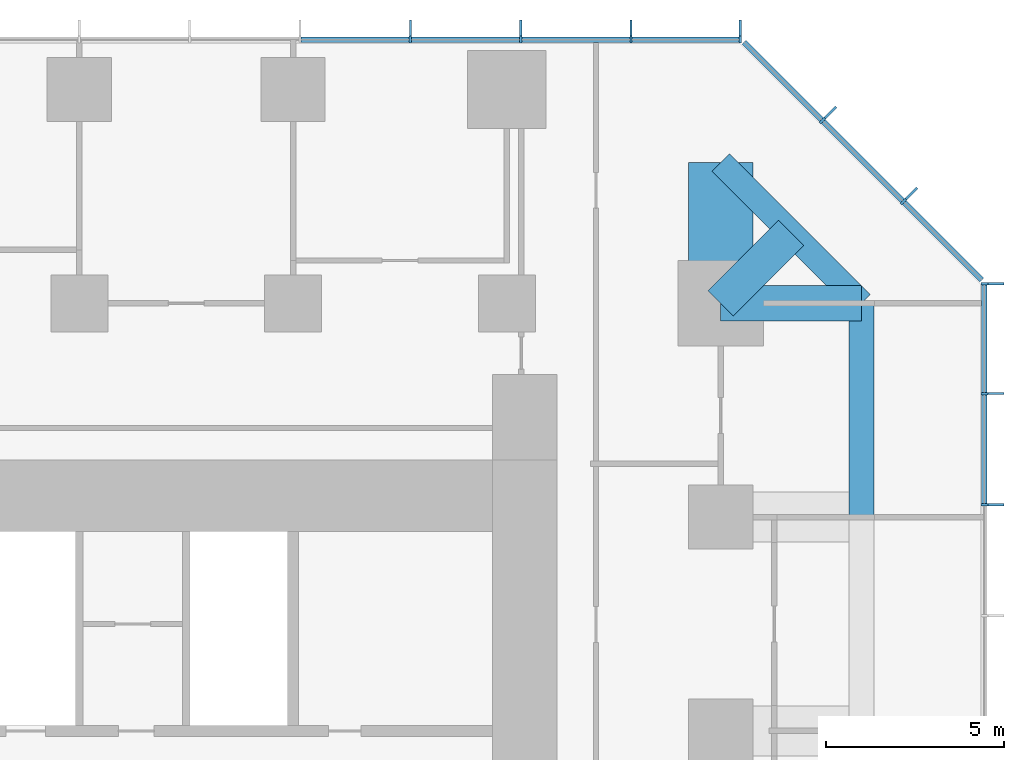
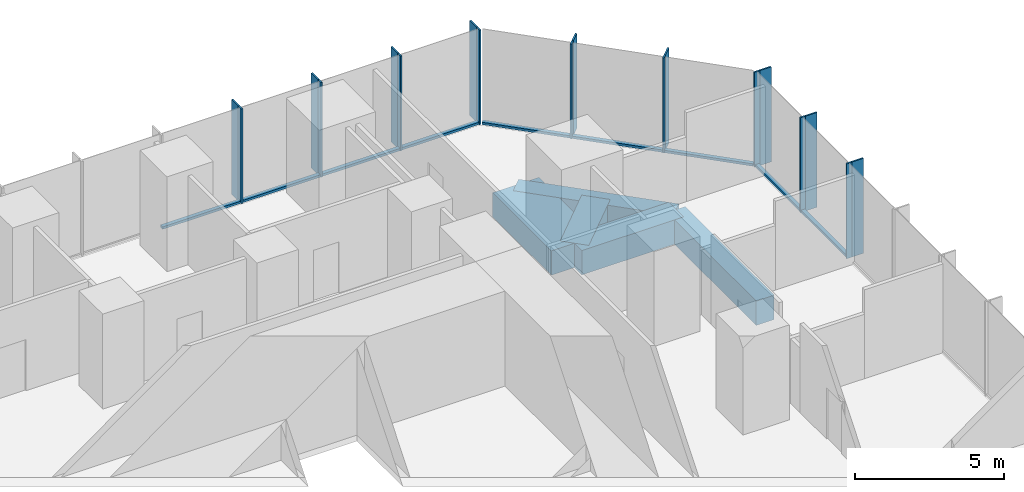
# One storey, part 6 of 12: 27 members, 5 beams, 3 elements without a shape of their own.
"""IFC4 building model written with IfcOpenShell, lengths in metres."""

from ifc_helpers import new_model, si_unit, direction, frame, origin, origin_2d, place, context, subcontext, project, spatial, rectangle, extrude, material, layer, layer_set, material_profile, profile_set, type_object, element, aggregate, save


model = new_model("IFC4")

# Units and contexts
model_context = context("Model", 3, precision=1e-05, world=origin(), true_north=direction((0.0, 1.0)))
body_context = subcontext(model_context, "Body", "Model", "MODEL_VIEW")
ifc_project = project(units=[si_unit("LENGTHUNIT", "METRE"), si_unit("AREAUNIT", "SQUARE_METRE"), si_unit("VOLUMEUNIT", "CUBIC_METRE"), si_unit("PLANEANGLEUNIT", "RADIAN"), si_unit("MASSUNIT", "GRAM", prefix="KILO")], contexts=[model_context])

# Site, building, storey
site_placement = place(None, origin())
site = spatial("IfcSite", under=ifc_project, at=site_placement, CompositionType="ELEMENT")
building_placement = place(site_placement, origin())
building = spatial("IfcBuilding", under=site, at=building_placement, Name="Highveld Stack Headquarters", CompositionType="ELEMENT")
storey_placement = place(building_placement, frame((0.0, 0.0, 156.199951171875)))
storey = spatial("IfcBuildingStorey", under=building, at=storey_placement, Name="L38", CompositionType="ELEMENT", Elevation=156.199951171875)

# Beams
ifc_material_1 = material(Name="Concrete C60/75", Category="concrete")
ifc_material_profile_1 = material_profile(ifc_material_1, rectangle(XDim=1.0, YDim=1.0, at=origin_2d()), Name="RC 1000x1000")
ifc_profile_set_1 = profile_set([ifc_material_profile_1], Name="Concrete C60/75")
beam_type_1 = type_object("IfcBeamType", Name="CANTILEVER RIB RC 1000x1000", PredefinedType="USERDEFINED", material=ifc_profile_set_1)
beam_1_placement = place(storey_placement, frame((24.0, 18.0, -0.75), z_axis=(1.0, 0.0, 0.0), x_axis=(0.0, 1.0, 0.0)))
element("IfcBeam", 1, at=beam_1_placement, inside=storey, type_object=beam_type_1, Name="Cantilever rib 10/H L38", ObjectType="CANTILEVER RIB", PredefinedType="USERDEFINED", context=body_context, shape_type="SweptSolid", body=[
    extrude(rectangle(XDim=1.0, YDim=1.0, at=origin_2d()), origin(), (0.0, 0.0, 1.0), 3.949951171875),
])
beam_2_placement = place(storey_placement, frame((24.0, 18.0, -0.75), z_axis=(0.707106781187, 0.707106781187, 0.0), x_axis=(-0.707106781187, 0.707106781187, 0.0)))
element("IfcBeam", 2, at=beam_2_placement, inside=storey, type_object=beam_type_1, Name="Cantilever rib 10/H L38", ObjectType="CANTILEVER RIB", PredefinedType="USERDEFINED", context=body_context, shape_type="SweptSolid", body=[
    extrude(rectangle(XDim=1.0, YDim=1.0, at=origin_2d()), origin(), (0.0, 0.0, 1.0), 2.793212890625),
])
ifc_material_2 = material(Name="Concrete C60/75", Category="concrete")
ifc_material_profile_2 = material_profile(ifc_material_2, rectangle(XDim=1.800048828125, YDim=1.0, at=origin_2d()), Name="RC 1800x1000")
ifc_profile_set_2 = profile_set([ifc_material_profile_2], Name="Concrete C60/75")
beam_type_2 = type_object("IfcBeamType", Name="CANTILEVER RIB RC 1800x1000", PredefinedType="USERDEFINED", material=ifc_profile_set_2)
beam_3_placement = place(storey_placement, frame((24.0, 18.0, -0.75), z_axis=(0.0, 1.0, 0.0), x_axis=(-1.0, 0.0, 0.0)))
element("IfcBeam", 3, at=beam_3_placement, inside=storey, type_object=beam_type_2, Name="Cantilever rib 10/H L38", ObjectType="CANTILEVER RIB", PredefinedType="USERDEFINED", context=body_context, shape_type="SweptSolid", body=[
    extrude(rectangle(XDim=1.800048828125, YDim=1.0, at=origin_2d()), origin(), (0.0, 0.0, 1.0), 3.949951171875),
])

# Curtain wall, members
ifc_material_3 = material(Name="Aluminium bronze anodised", Category="aluminium")
ifc_layer_1 = layer(ifc_material_3, 0.199951171875)
ifc_layer_set_1 = layer_set([ifc_layer_1], Name="Aluminium bronze anodised")
curtain_wall_type_1 = type_object("IfcCurtainWallType", Name="CW1 TOWER UNITISED CURTAIN WALL", PredefinedType="NOTDEFINED", material=ifc_layer_set_1)
curtain_wall_1_placement = place(storey_placement, origin())
curtain_wall_1 = element("IfcCurtainWall", 4, at=curtain_wall_1_placement, inside=storey, type_object=curtain_wall_type_1, Name="Curtain wall CW1 L38 E", PredefinedType="NOTDEFINED")
ifc_material_4 = material(Name="Aluminium bronze anodised", Category="aluminium")
ifc_material_profile_3 = material_profile(ifc_material_4, rectangle(XDim=0.449951171875, YDim=0.06005859375, at=origin_2d()), Name="FIN 450x60")
ifc_profile_set_3 = profile_set([ifc_material_profile_3], Name="Aluminium bronze anodised")
member_type_1 = type_object("IfcMemberType", Name="CW1 BRONZE FIN 450x60", PredefinedType="USERDEFINED", material=ifc_profile_set_3)
member_1_placement = place(storey_placement, frame((31.72509765625, 12.347900390625, 0.0), z_axis=(0.0, 0.0, 1.0), x_axis=(-1.0, 0.0, 0.0)))
member_1 = element("IfcMember", 5, at=member_1_placement, type_object=member_type_1, Name="CW1 fin L38 9", ObjectType="FIN", PredefinedType="USERDEFINED", context=body_context, shape_type="SweptSolid", body=[
    extrude(rectangle(XDim=0.449951171875, YDim=0.06005859375, at=origin_2d()), origin(), (0.0, 0.0, 1.0), 3.900146484375),
])
member_2_placement = place(storey_placement, frame((31.72509765625, 15.4638671875, 0.0), z_axis=(0.0, 0.0, 1.0), x_axis=(-1.0, 0.0, 0.0)))
member_2 = element("IfcMember", 6, at=member_2_placement, type_object=member_type_1, Name="CW1 fin L38 10", ObjectType="FIN", PredefinedType="USERDEFINED", context=body_context, shape_type="SweptSolid", body=[
    extrude(rectangle(XDim=0.449951171875, YDim=0.06005859375, at=origin_2d()), origin(), (0.0, 0.0, 1.0), 3.900146484375),
])
member_3_placement = place(storey_placement, frame((31.72509765625, 18.54736328125, 0.0), z_axis=(0.0, 0.0, 1.0), x_axis=(-1.0, 0.0, 0.0)))
member_3 = element("IfcMember", 7, at=member_3_placement, type_object=member_type_1, Name="CW1 fin L38 11", ObjectType="FIN", PredefinedType="USERDEFINED", context=body_context, shape_type="SweptSolid", body=[
    extrude(rectangle(XDim=0.449951171875, YDim=0.06005859375, at=origin_2d()), origin(), (0.0, 0.0, 1.0), 3.900146484375),
])

curtain_wall_2_placement = place(storey_placement, origin())
curtain_wall_2 = element("IfcCurtainWall", 8, at=curtain_wall_2_placement, inside=storey, type_object=curtain_wall_type_1, Name="Curtain wall CW1 L38 N", PredefinedType="NOTDEFINED")
member_4_placement = place(storey_placement, frame((24.54736328125, 25.72509765625, 0.0), z_axis=(0.0, 0.0, 1.0), x_axis=(0.0, -1.0, 0.0)))
member_4 = element("IfcMember", 9, at=member_4_placement, type_object=member_type_1, Name="CW1 fin L38 1", ObjectType="FIN", PredefinedType="USERDEFINED", context=body_context, shape_type="SweptSolid", body=[
    extrude(rectangle(XDim=0.449951171875, YDim=0.06005859375, at=origin_2d()), origin(), (0.0, 0.0, 1.0), 3.900146484375),
])
member_5_placement = place(storey_placement, frame((21.483154296875, 25.72509765625, 0.0), z_axis=(0.0, 0.0, 1.0), x_axis=(0.0, -1.0, 0.0)))
member_5 = element("IfcMember", 10, at=member_5_placement, type_object=member_type_1, Name="CW1 fin L38 2", ObjectType="FIN", PredefinedType="USERDEFINED", context=body_context, shape_type="SweptSolid", body=[
    extrude(rectangle(XDim=0.449951171875, YDim=0.06005859375, at=origin_2d()), origin(), (0.0, 0.0, 1.0), 3.900146484375),
])
member_6_placement = place(storey_placement, frame((18.38671875, 25.72509765625, 0.0), z_axis=(0.0, 0.0, 1.0), x_axis=(0.0, -1.0, 0.0)))
member_6 = element("IfcMember", 11, at=member_6_placement, type_object=member_type_1, Name="CW1 fin L38 3", ObjectType="FIN", PredefinedType="USERDEFINED", context=body_context, shape_type="SweptSolid", body=[
    extrude(rectangle(XDim=0.449951171875, YDim=0.06005859375, at=origin_2d()), origin(), (0.0, 0.0, 1.0), 3.900146484375),
])
member_7_placement = place(storey_placement, frame((15.289794921875, 25.72509765625, 0.0), z_axis=(0.0, 0.0, 1.0), x_axis=(0.0, -1.0, 0.0)))
member_7 = element("IfcMember", 12, at=member_7_placement, type_object=member_type_1, Name="CW1 fin L38 4", ObjectType="FIN", PredefinedType="USERDEFINED", context=body_context, shape_type="SweptSolid", body=[
    extrude(rectangle(XDim=0.449951171875, YDim=0.06005859375, at=origin_2d()), origin(), (0.0, 0.0, 1.0), 3.900146484375),
])

# Member
ifc_material_5 = material(Name="Aluminium bronze anodised", Category="aluminium")
ifc_material_profile_4 = material_profile(ifc_material_5, rectangle(XDim=0.199951171875, YDim=0.06494140625, at=origin_2d()), Name="CW1 MULLION 65x200")
ifc_profile_set_4 = profile_set([ifc_material_profile_4], Name="Aluminium bronze anodised")
member_type_2 = type_object("IfcMemberType", Name="CW1 MULLION 65x200", PredefinedType="MULLION", material=ifc_profile_set_4)
member_8_placement = place(storey_placement, frame((31.39990234375, 12.347900390625, 0.0), z_axis=(0.0, 0.0, 1.0), x_axis=(-1.0, 0.0, 0.0)))
member_8 = element("IfcMember", 13, at=member_8_placement, type_object=member_type_2, Name="CW1 mullion L38 9", PredefinedType="MULLION", context=body_context, shape_type="SweptSolid", body=[
    extrude(rectangle(XDim=0.199951171875, YDim=0.06494140625, at=origin_2d()), origin(), (0.0, 0.0, 1.0), 3.900146484375),
])

member_9_placement = place(storey_placement, frame((31.39990234375, 15.4638671875, 0.0), z_axis=(0.0, 0.0, 1.0), x_axis=(-1.0, 0.0, 0.0)))
member_9 = element("IfcMember", 14, at=member_9_placement, type_object=member_type_2, Name="CW1 mullion L38 10", PredefinedType="MULLION", context=body_context, shape_type="SweptSolid", body=[
    extrude(rectangle(XDim=0.199951171875, YDim=0.06494140625, at=origin_2d()), origin(), (0.0, 0.0, 1.0), 3.900146484375),
])

member_10_placement = place(storey_placement, frame((31.39990234375, 18.54736328125, 0.0), z_axis=(0.0, 0.0, 1.0), x_axis=(-1.0, 0.0, 0.0)))
member_10 = element("IfcMember", 15, at=member_10_placement, type_object=member_type_2, Name="CW1 mullion L38 11", PredefinedType="MULLION", context=body_context, shape_type="SweptSolid", body=[
    extrude(rectangle(XDim=0.199951171875, YDim=0.06494140625, at=origin_2d()), origin(), (0.0, 0.0, 1.0), 3.900146484375),
])

member_11_placement = place(storey_placement, frame((24.54736328125, 25.39990234375, 0.0), z_axis=(0.0, 0.0, 1.0), x_axis=(0.0, -1.0, 0.0)))
member_11 = element("IfcMember", 16, at=member_11_placement, type_object=member_type_2, Name="CW1 mullion L38 1", PredefinedType="MULLION", context=body_context, shape_type="SweptSolid", body=[
    extrude(rectangle(XDim=0.199951171875, YDim=0.06494140625, at=origin_2d()), origin(), (0.0, 0.0, 1.0), 3.900146484375),
])

member_12_placement = place(storey_placement, frame((21.483154296875, 25.39990234375, 0.0), z_axis=(0.0, 0.0, 1.0), x_axis=(0.0, -1.0, 0.0)))
member_12 = element("IfcMember", 17, at=member_12_placement, type_object=member_type_2, Name="CW1 mullion L38 2", PredefinedType="MULLION", context=body_context, shape_type="SweptSolid", body=[
    extrude(rectangle(XDim=0.199951171875, YDim=0.06494140625, at=origin_2d()), origin(), (0.0, 0.0, 1.0), 3.900146484375),
])

member_13_placement = place(storey_placement, frame((18.38671875, 25.39990234375, 0.0), z_axis=(0.0, 0.0, 1.0), x_axis=(0.0, -1.0, 0.0)))
member_13 = element("IfcMember", 18, at=member_13_placement, type_object=member_type_2, Name="CW1 mullion L38 3", PredefinedType="MULLION", context=body_context, shape_type="SweptSolid", body=[
    extrude(rectangle(XDim=0.199951171875, YDim=0.06494140625, at=origin_2d()), origin(), (0.0, 0.0, 1.0), 3.900146484375),
])

member_14_placement = place(storey_placement, frame((15.289794921875, 25.39990234375, 0.0), z_axis=(0.0, 0.0, 1.0), x_axis=(0.0, -1.0, 0.0)))
member_14 = element("IfcMember", 19, at=member_14_placement, type_object=member_type_2, Name="CW1 mullion L38 4", PredefinedType="MULLION", context=body_context, shape_type="SweptSolid", body=[
    extrude(rectangle(XDim=0.199951171875, YDim=0.06494140625, at=origin_2d()), origin(), (0.0, 0.0, 1.0), 3.900146484375),
])

ifc_material_6 = material(Name="Aluminium bronze anodised", Category="aluminium")
ifc_material_profile_5 = material_profile(ifc_material_6, rectangle(XDim=0.14990234375, YDim=0.10009765625, at=origin_2d()), Name="CW1 TRANSOM 150x100")
ifc_profile_set_5 = profile_set([ifc_material_profile_5], Name="Aluminium bronze anodised")
member_type_3 = type_object("IfcMemberType", Name="CW1 STACK TRANSOM 150x100", PredefinedType="USERDEFINED", material=ifc_profile_set_5)
member_15_placement = place(storey_placement, frame((31.39990234375, 12.38037109375, 0.050048828125), z_axis=(0.0, 1.0, 0.0), x_axis=(-1.0, 0.0, 0.0)))
member_15 = element("IfcMember", 20, at=member_15_placement, type_object=member_type_3, Name="CW1 transom L38 9.1", ObjectType="TRANSOM", PredefinedType="USERDEFINED", context=body_context, shape_type="SweptSolid", body=[
    extrude(rectangle(XDim=0.14990234375, YDim=0.10009765625, at=origin_2d()), origin(), (0.0, 0.0, 1.0), 3.051025390625),
])

member_16_placement = place(storey_placement, frame((31.39990234375, 15.496337890625, 0.050048828125), z_axis=(0.0, 1.0, 0.0), x_axis=(-1.0, 0.0, 0.0)))
member_16 = element("IfcMember", 21, at=member_16_placement, type_object=member_type_3, Name="CW1 transom L38 10.1", ObjectType="TRANSOM", PredefinedType="USERDEFINED", context=body_context, shape_type="SweptSolid", body=[
    extrude(rectangle(XDim=0.14990234375, YDim=0.10009765625, at=origin_2d()), origin(), (0.0, 0.0, 1.0), 3.0185546875),
])

aggregate(curtain_wall_1, [member_8, member_1, member_9, member_2, member_10, member_3, member_15, member_16])

member_17_placement = place(storey_placement, frame((24.514892578125, 25.39990234375, 0.050048828125), z_axis=(-1.0, 0.0, 0.0), x_axis=(0.0, -1.0, 0.0)))
member_17 = element("IfcMember", 22, at=member_17_placement, type_object=member_type_3, Name="CW1 transom L38 1.1", ObjectType="TRANSOM", PredefinedType="USERDEFINED", context=body_context, shape_type="SweptSolid", body=[
    extrude(rectangle(XDim=0.14990234375, YDim=0.10009765625, at=origin_2d()), origin(), (0.0, 0.0, 1.0), 2.999267578125),
])

member_18_placement = place(storey_placement, frame((21.45068359375, 25.39990234375, 0.050048828125), z_axis=(-1.0, 0.0, 0.0), x_axis=(0.0, -1.0, 0.0)))
member_18 = element("IfcMember", 23, at=member_18_placement, type_object=member_type_3, Name="CW1 transom L38 2.1", ObjectType="TRANSOM", PredefinedType="USERDEFINED", context=body_context, shape_type="SweptSolid", body=[
    extrude(rectangle(XDim=0.14990234375, YDim=0.10009765625, at=origin_2d()), origin(), (0.0, 0.0, 1.0), 3.031494140625),
])

member_19_placement = place(storey_placement, frame((18.35400390625, 25.39990234375, 0.050048828125), z_axis=(-1.0, 0.0, 0.0), x_axis=(0.0, -1.0, 0.0)))
member_19 = element("IfcMember", 24, at=member_19_placement, type_object=member_type_3, Name="CW1 transom L38 3.1", ObjectType="TRANSOM", PredefinedType="USERDEFINED", context=body_context, shape_type="SweptSolid", body=[
    extrude(rectangle(XDim=0.14990234375, YDim=0.10009765625, at=origin_2d()), origin(), (0.0, 0.0, 1.0), 3.031494140625),
])

member_20_placement = place(storey_placement, frame((15.25732421875, 25.39990234375, 0.050048828125), z_axis=(-1.0, 0.0, 0.0), x_axis=(0.0, -1.0, 0.0)))
member_20 = element("IfcMember", 25, at=member_20_placement, type_object=member_type_3, Name="CW1 transom L38 4.1", ObjectType="TRANSOM", PredefinedType="USERDEFINED", context=body_context, shape_type="SweptSolid", body=[
    extrude(rectangle(XDim=0.14990234375, YDim=0.10009765625, at=origin_2d()), origin(), (0.0, 0.0, 1.0), 3.031494140625),
])

aggregate(curtain_wall_2, [member_11, member_4, member_12, member_5, member_13, member_6, member_14, member_7, member_17, member_18, member_19, member_20])

# Curtain wall, members
ifc_material_7 = material(Name="Aluminium bronze anodised", Category="aluminium")
ifc_layer_2 = layer(ifc_material_7, 0.199951171875)
ifc_layer_set_2 = layer_set([ifc_layer_2], Name="Aluminium bronze anodised")
curtain_wall_type_2 = type_object("IfcCurtainWallType", Name="CW2 TOWER CHAMFER UNITISED CURTAIN WALL", PredefinedType="NOTDEFINED", material=ifc_layer_set_2)
curtain_wall_3_placement = place(storey_placement, origin())
curtain_wall_3 = element("IfcCurtainWall", 26, at=curtain_wall_3_placement, inside=storey, type_object=curtain_wall_type_2, Name="Curtain wall CW2 L38 NE", PredefinedType="NOTDEFINED")
ifc_material_8 = material(Name="Aluminium bronze anodised", Category="aluminium")
ifc_material_profile_6 = material_profile(ifc_material_8, rectangle(XDim=0.449951171875, YDim=0.06005859375, at=origin_2d()), Name="FIN 450x60")
ifc_profile_set_6 = profile_set([ifc_material_profile_6], Name="Aluminium bronze anodised")
member_type_4 = type_object("IfcMemberType", Name="CW2 BRONZE FIN 450x60", PredefinedType="USERDEFINED", material=ifc_profile_set_6)
member_21_placement = place(storey_placement, frame((29.3564453125, 21.0830078125, 0.0), z_axis=(0.0, 0.0, 1.0), x_axis=(-0.707106781187, -0.707106781187, 0.0)))
member_21 = element("IfcMember", 27, at=member_21_placement, type_object=member_type_4, Name="CW2 fin L38 1", ObjectType="FIN", PredefinedType="USERDEFINED", context=body_context, shape_type="SweptSolid", body=[
    extrude(rectangle(XDim=0.449951171875, YDim=0.06005859375, at=origin_2d()), origin(), (0.0, 0.0, 1.0), 3.900146484375),
])
member_22_placement = place(storey_placement, frame((27.0830078125, 23.3564453125, 0.0), z_axis=(0.0, 0.0, 1.0), x_axis=(-0.707106781187, -0.707106781187, 0.0)))
member_22 = element("IfcMember", 28, at=member_22_placement, type_object=member_type_4, Name="CW2 fin L38 2", ObjectType="FIN", PredefinedType="USERDEFINED", context=body_context, shape_type="SweptSolid", body=[
    extrude(rectangle(XDim=0.449951171875, YDim=0.06005859375, at=origin_2d()), origin(), (0.0, 0.0, 1.0), 3.900146484375),
])
ifc_material_9 = material(Name="Aluminium bronze anodised", Category="aluminium")
ifc_material_profile_7 = material_profile(ifc_material_9, rectangle(XDim=0.199951171875, YDim=0.06494140625, at=origin_2d()), Name="CW2 MULLION 65x200")
ifc_profile_set_7 = profile_set([ifc_material_profile_7], Name="Aluminium bronze anodised")
member_type_5 = type_object("IfcMemberType", Name="CW2 MULLION 65x200", PredefinedType="MULLION", material=ifc_profile_set_7)
member_23_placement = place(storey_placement, frame((29.126708984375, 20.853271484375, 0.0), z_axis=(0.0, 0.0, 1.0), x_axis=(-0.707106781187, -0.707106781187, 0.0)))
member_23 = element("IfcMember", 29, at=member_23_placement, type_object=member_type_5, Name="CW2 mullion L38 1", PredefinedType="MULLION", context=body_context, shape_type="SweptSolid", body=[
    extrude(rectangle(XDim=0.199951171875, YDim=0.06494140625, at=origin_2d()), origin(), (0.0, 0.0, 1.0), 3.900146484375),
])
member_24_placement = place(storey_placement, frame((26.853271484375, 23.126708984375, 0.0), z_axis=(0.0, 0.0, 1.0), x_axis=(-0.707106781187, -0.707106781187, 0.0)))
member_24 = element("IfcMember", 30, at=member_24_placement, type_object=member_type_5, Name="CW2 mullion L38 2", PredefinedType="MULLION", context=body_context, shape_type="SweptSolid", body=[
    extrude(rectangle(XDim=0.199951171875, YDim=0.06494140625, at=origin_2d()), origin(), (0.0, 0.0, 1.0), 3.900146484375),
])
ifc_material_10 = material(Name="Aluminium bronze anodised", Category="aluminium")
ifc_material_profile_8 = material_profile(ifc_material_10, rectangle(XDim=0.14990234375, YDim=0.10009765625, at=origin_2d()), Name="CW2 TRANSOM 150x100")
ifc_profile_set_8 = profile_set([ifc_material_profile_8], Name="Aluminium bronze anodised")
member_type_6 = type_object("IfcMemberType", Name="CW2 STACK TRANSOM 150x100", PredefinedType="USERDEFINED", material=ifc_profile_set_8)
member_25_placement = place(storey_placement, frame((31.329345703125, 18.650634765625, 0.050048828125), z_axis=(-0.707106781187, 0.707106781187, 0.0), x_axis=(-0.707106781187, -0.707106781187, 0.0)))
member_25 = element("IfcMember", 31, at=member_25_placement, type_object=member_type_6, Name="CW2 transom L38 1.1", ObjectType="TRANSOM", PredefinedType="USERDEFINED", context=body_context, shape_type="SweptSolid", body=[
    extrude(rectangle(XDim=0.14990234375, YDim=0.10009765625, at=origin_2d()), origin(), (0.0, 0.0, 1.0), 3.08251953125),
])
member_26_placement = place(storey_placement, frame((29.103759765625, 20.876220703125, 0.050048828125), z_axis=(-0.707106781187, 0.707106781187, 0.0), x_axis=(-0.707106781187, -0.707106781187, 0.0)))
member_26 = element("IfcMember", 32, at=member_26_placement, type_object=member_type_6, Name="CW2 transom L38 2.1", ObjectType="TRANSOM", PredefinedType="USERDEFINED", context=body_context, shape_type="SweptSolid", body=[
    extrude(rectangle(XDim=0.14990234375, YDim=0.10009765625, at=origin_2d()), origin(), (0.0, 0.0, 1.0), 3.150146484375),
])
member_27_placement = place(storey_placement, frame((26.830322265625, 23.149658203125, 0.050048828125), z_axis=(-0.707106781187, 0.707106781187, 0.0), x_axis=(-0.707106781187, -0.707106781187, 0.0)))
member_27 = element("IfcMember", 33, at=member_27_placement, type_object=member_type_6, Name="CW2 transom L38 3.1", ObjectType="TRANSOM", PredefinedType="USERDEFINED", context=body_context, shape_type="SweptSolid", body=[
    extrude(rectangle(XDim=0.14990234375, YDim=0.10009765625, at=origin_2d()), origin(), (0.0, 0.0, 1.0), 3.08251953125),
])
aggregate(curtain_wall_3, [member_23, member_21, member_24, member_22, member_25, member_26, member_27])

# Beams
ifc_material_11 = material(Name="Concrete C60/75", Category="concrete")
ifc_material_profile_9 = material_profile(ifc_material_11, rectangle(XDim=0.699951171875, YDim=1.0, at=origin_2d()), Name="RC 700x1000")
ifc_profile_set_9 = profile_set([ifc_material_profile_9], Name="Concrete C60/75")
beam_type_3 = type_object("IfcBeamType", Name="RIB TIP BEAM RC 700x1000", PredefinedType="SPANDREL", material=ifc_profile_set_9)
beam_4_placement = place(storey_placement, frame((27.949951171875, 12.0, -0.75), z_axis=(0.0, 1.0, 0.0), x_axis=(-1.0, 0.0, 0.0)))
element("IfcBeam", 34, at=beam_4_placement, inside=storey, type_object=beam_type_3, Name="Rib tip beam 10/G to 10/H L38", PredefinedType="SPANDREL", context=body_context, shape_type="SweptSolid", body=[
    extrude(rectangle(XDim=0.699951171875, YDim=1.0, at=origin_2d()), origin(), (0.0, 0.0, 1.0), 6.0),
])
beam_5_placement = place(storey_placement, frame((27.949951171875, 18.0, -0.75), z_axis=(-0.707106781187, 0.707106781187, 0.0), x_axis=(-0.707106781187, -0.707106781187, 0.0)))
element("IfcBeam", 35, at=beam_5_placement, inside=storey, type_object=beam_type_3, Name="Rib tip beam 10/H corner L38", PredefinedType="SPANDREL", context=body_context, shape_type="SweptSolid", body=[
    extrude(rectangle(XDim=0.699951171875, YDim=1.0, at=origin_2d()), origin(), (0.0, 0.0, 1.0), 5.586181640625),
])

save(model, "model.ifc")
